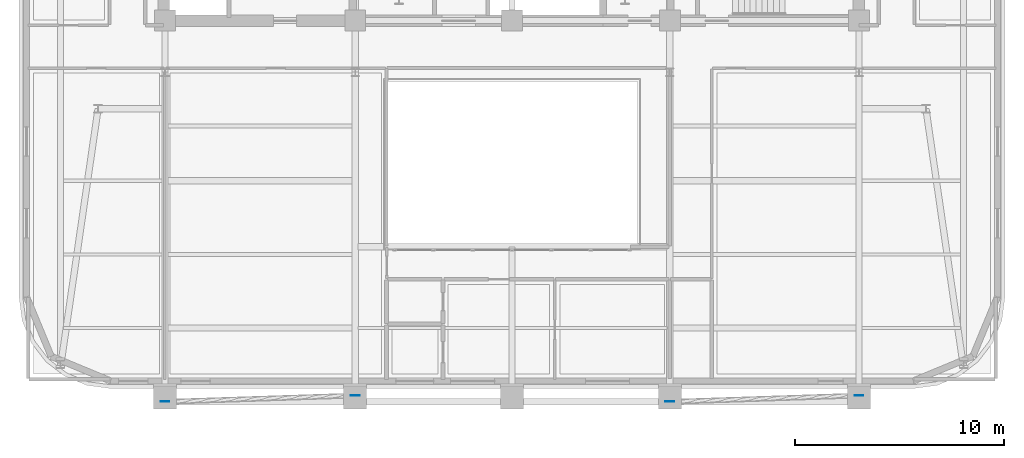
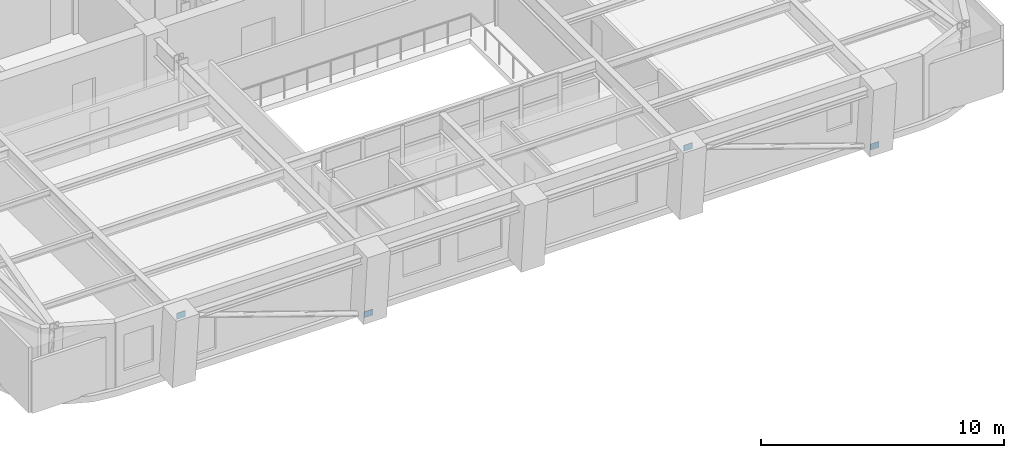
# One storey, part 5 of 13: 4 plates.
"""IFC4 building model written with IfcOpenShell, lengths in metres."""

from ifc_helpers import new_model, si_unit, direction, frame, origin, origin_2d, place, context, subcontext, project, spatial, rectangle, extrude, material, layer, layer_set, type_object, element, save


model = new_model("IFC4")

# Units and contexts
model_context = context("Model", 3, precision=1e-05, world=origin(), true_north=direction((0.0, 1.0)))
body_context = subcontext(model_context, "Body", "Model", "MODEL_VIEW")
ifc_project = project(units=[si_unit("LENGTHUNIT", "METRE"), si_unit("AREAUNIT", "SQUARE_METRE"), si_unit("VOLUMEUNIT", "CUBIC_METRE"), si_unit("PLANEANGLEUNIT", "RADIAN"), si_unit("MASSUNIT", "GRAM", prefix="KILO")], contexts=[model_context])

# Site, building, storey
site_placement = place(None, origin())
site = spatial("IfcSite", under=ifc_project, at=site_placement, CompositionType="ELEMENT")
building_placement = place(site_placement, origin())
building = spatial("IfcBuilding", under=site, at=building_placement, Name="Zarnavel Station Tower", CompositionType="ELEMENT")
storey_placement = place(building_placement, frame((0.0, 0.0, 180.300048828125)))
storey = spatial("IfcBuildingStorey", under=building, at=storey_placement, Name="L49", CompositionType="ELEMENT", Elevation=180.300048828125)

# Plates
ifc_material = material(Name="Steel S460M", Category="steel")
ifc_layer = layer(ifc_material, 0.02490234375)
ifc_layer_set = layer_set([ifc_layer], Name="GP_GUSSET_25")
plate_type = type_object("IfcPlateType", Name="GP_GUSSET_25", PredefinedType="USERDEFINED", material=ifc_layer_set)
for number, where, z_axis, x_axis, name in (
    (1, (21.300048828125, 9.88916015625, -0.14990234375), (0.0, 0.0, 1.0), (1.0, 0.0, 0.0), "L49 Exterior Diagonal Brace End Gusset 1-1"),
    (2, (12.199951171875, 9.591064453125, 3.14013671875), (0.0, 0.0, 1.0), (1.0, 0.0, 0.0), "L49 Exterior Diagonal Brace End Gusset 1-2"),
    (3, (45.39990234375, 9.88916015625, -0.14990234375), (0.0, 0.0, 1.0), (1.0, 0.0, 0.0), "L49 Exterior Diagonal Brace End Gusset 2-1"),
    (4, (36.35009765625, 9.591064453125, 3.14013671875), (0.0, 0.0, 1.0), (1.0, 0.0, 0.0), "L49 Exterior Diagonal Brace End Gusset 2-2"),
):
    element("IfcPlate", number, at=place(storey_placement, frame(where, z_axis=z_axis, x_axis=x_axis)), inside=storey, type_object=plate_type, Name=name, ObjectType="GUSSET_PLATE", PredefinedType="USERDEFINED", context=body_context, shape_type="SweptSolid", body=[
        extrude(rectangle(XDim=0.419921875, YDim=0.02490234375, at=origin_2d()), origin(), (0.0, 0.0, 1.0), 0.300048828125),
    ])

save(model, "model.ifc")
